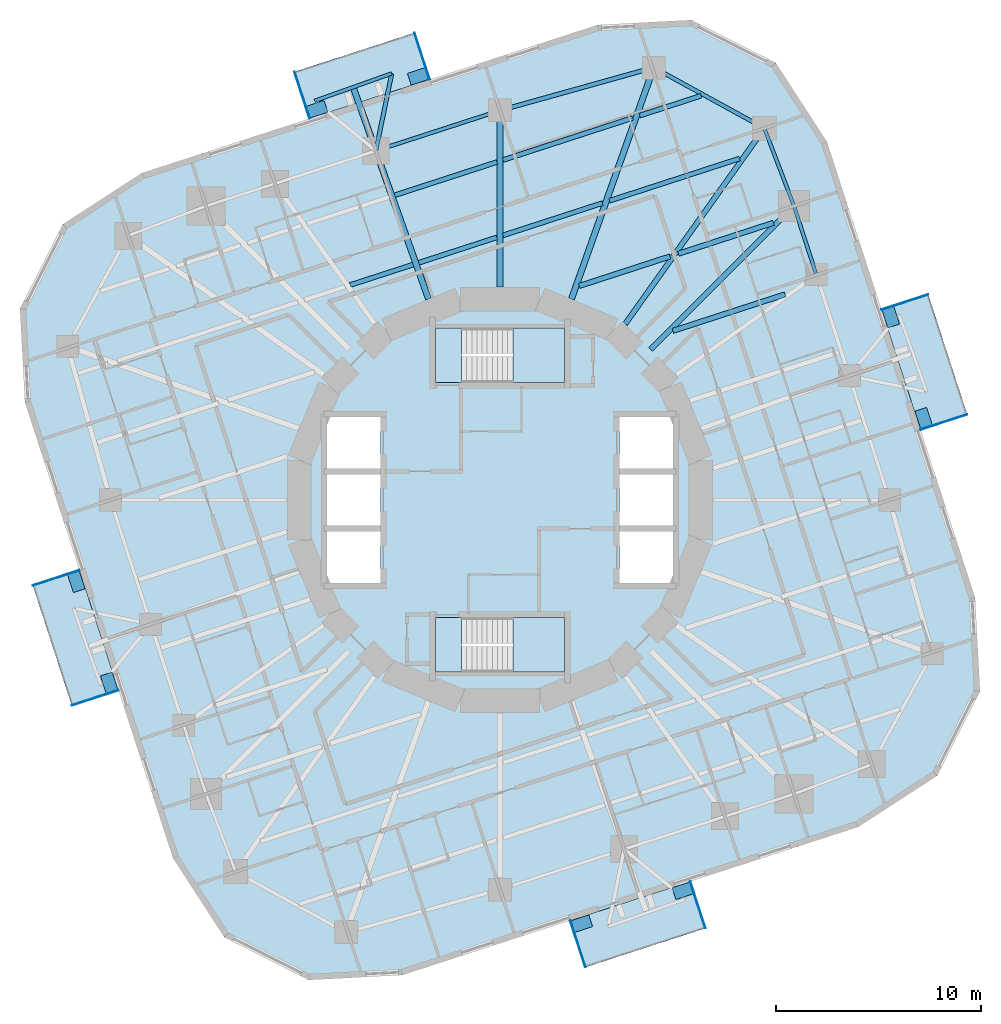
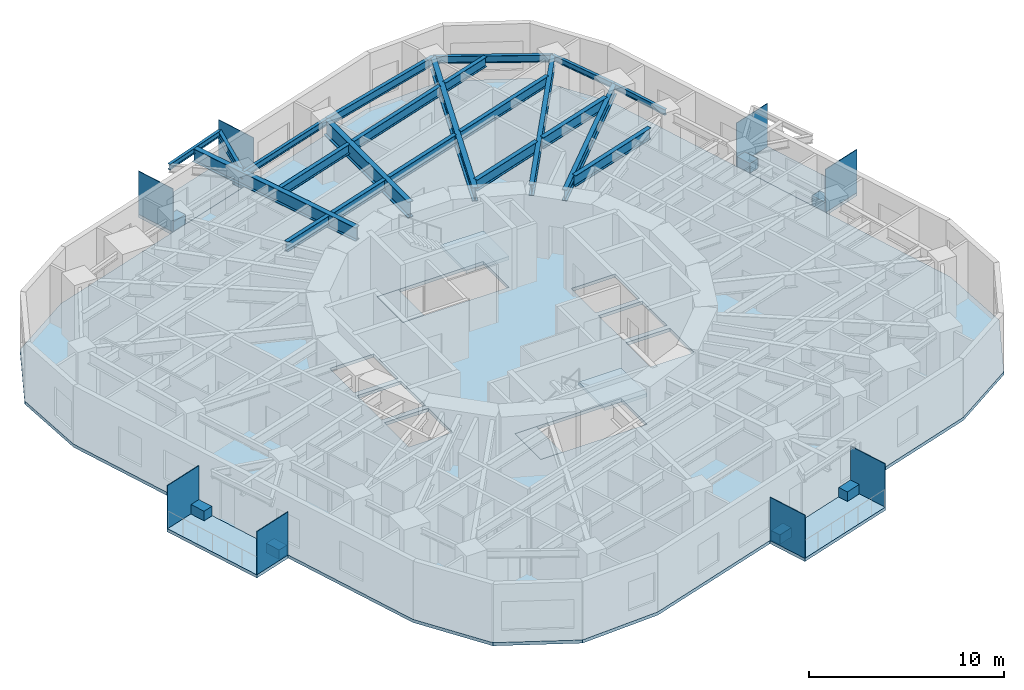
# One storey, part 3 of 12: 22 beams, 16 plates, 9 slabs, 2 elements without a shape of their own.
"""IFC4 building model written with IfcOpenShell, lengths in metres."""

import ifcopenshell
import ifcopenshell.guid

model = None  # the IFC model being written
_history = None  # IfcOwnerHistory: only IFC2X3 demands one
_inside = {}  # id of a spatial element -> (the spatial element, [elements in it])
_under = {}  # id of a project, library or spatial element -> (it, [spatial elements below it])
_declared = {}  # id of a project -> (the project, [libraries it declares])
_typed = {}  # id of a type object -> (the type object, [elements of that type])
_made_of = {}  # id of a material, layer set ... -> (it, [elements and type objects made of it])


def new_model(schema):
    """Start an empty IFC model of exactly this schema.

    Asked for "IFC4X3", IfcOpenShell would pick the latest addendum, in which some entities
    have other attributes; the version numbers below select the first issue.
    IFC2X3 requires an IfcOwnerHistory on every rooted entity: one is made here for all.
    """
    global model, _history
    if schema == "IFC4X3":
        model = ifcopenshell.file(schema_version=(4, 3, 0, 0))
    else:
        model = ifcopenshell.file(schema=schema)
    _inside.clear()
    _under.clear()
    _declared.clear()
    _typed.clear()
    _made_of.clear()
    _history = None
    if model.schema == "IFC2X3":
        org = make("IfcOrganization", Name="unknown")
        user = make(
            "IfcPersonAndOrganization",
            ThePerson=make("IfcPerson", FamilyName="unknown"),
            TheOrganization=org,
        )
        app = make(
            "IfcApplication",
            ApplicationDeveloper=org,
            Version="unknown",
            ApplicationFullName="unknown",
            ApplicationIdentifier="unknown",
        )
        _history = make(
            "IfcOwnerHistory",
            OwningUser=user,
            OwningApplication=app,
            ChangeAction="ADDED",
            CreationDate=0,
        )
    return model


def make(cls, **values):
    """One entity of the class cls with the attributes given. An attribute that is None is left unset."""
    return model.create_entity(
        cls, **{name: value for name, value in values.items() if value is not None}
    )


def rooted(cls, **values):
    """An entity with a GlobalId (a new one), such as an element, a storey or a relation."""
    return make(cls, GlobalId=ifcopenshell.guid.new(), OwnerHistory=_history, **values)


def si_unit(unit_type, name, prefix=None):
    """IfcSIUnit, for example si_unit("LENGTHUNIT", "METRE", prefix="MILLI")."""
    return make("IfcSIUnit", UnitType=unit_type, Prefix=prefix, Name=name)


def assignment(units):
    """IfcUnitAssignment: the units of a project."""
    return None if units is None else make("IfcUnitAssignment", Units=units)


def point(xyz):
    """IfcCartesianPoint."""
    return None if xyz is None else make("IfcCartesianPoint", Coordinates=xyz)


def direction(xyz):
    """IfcDirection."""
    return None if xyz is None else make("IfcDirection", DirectionRatios=xyz)


def frame(location, z_axis=None, x_axis=None):
    """IfcAxis2Placement3D, a coordinate frame: its origin and axes. An axis left out is left unset."""
    return make(
        "IfcAxis2Placement3D",
        Location=point(location),
        Axis=direction(z_axis),
        RefDirection=direction(x_axis),
    )


def frame_2d(location, x_axis=None):
    """IfcAxis2Placement2D, a coordinate frame in the plane: its origin and x axis."""
    return make(
        "IfcAxis2Placement2D", Location=point(location), RefDirection=direction(x_axis)
    )


def origin():
    """The frame at (0, 0, 0) with its axes left unset."""
    return frame((0.0, 0.0, 0.0))


def origin_2d():
    """The frame at (0, 0) in the plane with its x axis left unset."""
    return frame_2d((0.0, 0.0))


def place(relative_to, where):
    """IfcLocalPlacement: puts the frame where relative to a parent placement (None: the world)."""
    return make(
        "IfcLocalPlacement", PlacementRelTo=relative_to, RelativePlacement=where
    )


def context(
    kind, dimensions, precision=None, world=None, true_north=None, identifier=None
):
    """IfcGeometricRepresentationContext, for example the 3D "Model" context."""
    return make(
        "IfcGeometricRepresentationContext",
        ContextIdentifier=identifier,
        ContextType=kind,
        CoordinateSpaceDimension=dimensions,
        Precision=precision,
        WorldCoordinateSystem=world,
        TrueNorth=true_north,
    )


def subcontext(parent, identifier, kind, view, scale=None):
    """IfcGeometricRepresentationSubContext, for example "Body" below "Model"."""
    return make(
        "IfcGeometricRepresentationSubContext",
        ContextIdentifier=identifier,
        ContextType=kind,
        ParentContext=parent,
        TargetScale=scale,
        TargetView=view,
    )


def project(units=None, contexts=None):
    """IfcProject with its units and contexts."""
    return rooted(
        "IfcProject",
        Name="project",
        RepresentationContexts=contexts,
        UnitsInContext=assignment(units),
    )


def spatial(cls, under=None, at=None, **own):
    """A site, building, storey or space (cls), placed at a placement, below another one or the project."""
    s = rooted(cls, ObjectPlacement=at, **own)
    if under is not None:
        _under.setdefault(under.id(), (under, []))[1].append(s)
    return s


def polyline(points):
    """IfcPolyline through the points."""
    return make("IfcPolyline", Points=[point(p) for p in points])


def profile(cls, at=None, kind="AREA", **sizes):
    """A parametric profile (cls). Its sizes go by their IFC names, for example OverallWidth=200.0."""
    return make(cls, ProfileType=kind, Position=at, **sizes)


def rectangle(**sizes):
    """IfcRectangleProfileDef."""
    return profile("IfcRectangleProfileDef", **sizes)


def i_section(**sizes):
    """IfcIShapeProfileDef."""
    return profile("IfcIShapeProfileDef", **sizes)


def outline(outer, holes=None, kind="AREA"):
    """IfcArbitraryClosedProfileDef: a profile drawn as a closed curve; with holes, ...WithVoids."""
    if holes is None:
        return make("IfcArbitraryClosedProfileDef", ProfileType=kind, OuterCurve=outer)
    return make(
        "IfcArbitraryProfileDefWithVoids",
        ProfileType=kind,
        OuterCurve=outer,
        InnerCurves=holes,
    )


def extrude(swept, where, along, depth):
    """IfcExtrudedAreaSolid: the profile swept, set in the frame where, extruded along a direction by depth."""
    return make(
        "IfcExtrudedAreaSolid",
        SweptArea=swept,
        Position=where,
        ExtrudedDirection=direction(along),
        Depth=depth,
    )


def shape(context_of_items, identifier, shape_type, items):
    """IfcShapeRepresentation: the items that make up one representation, for example the "Body"."""
    return make(
        "IfcShapeRepresentation",
        ContextOfItems=context_of_items,
        RepresentationIdentifier=identifier,
        RepresentationType=shape_type,
        Items=items,
    )


def material(Name=None, Category=None):
    """IfcMaterial."""
    return make("IfcMaterial", Name=Name, Category=Category)


def layer(
    of_material, thickness, ventilated=None, Name=None, Category=None, Priority=None
):
    """IfcMaterialLayer: one layer of a wall or slab, of a material (None: an air gap)."""
    return make(
        "IfcMaterialLayer",
        Material=of_material,
        LayerThickness=thickness,
        IsVentilated=ventilated,
        Name=Name,
        Category=Category,
        Priority=Priority,
    )


def layer_set(layers, Name=None):
    """IfcMaterialLayerSet."""
    return make("IfcMaterialLayerSet", MaterialLayers=layers, LayerSetName=Name)


def material_profile(
    of_material, cross_section, Name=None, Category=None, Priority=None
):
    """IfcMaterialProfile: a cross section and its material."""
    return make(
        "IfcMaterialProfile",
        Name=Name,
        Material=of_material,
        Profile=cross_section,
        Priority=Priority,
        Category=Category,
    )


def profile_set(profiles, Name=None, composite=None):
    """IfcMaterialProfileSet."""
    return make(
        "IfcMaterialProfileSet",
        Name=Name,
        MaterialProfiles=profiles,
        CompositeProfile=composite,
    )


def made_of(thing, what):
    """Note that an element or type object is made of a material, layer set ...; save() writes the relation."""
    if what is not None:
        _made_of.setdefault(what.id(), (what, []))[1].append(thing)
    return thing


def type_object(cls, material=None, **own):
    """A type object (cls), such as IfcWallType, which elements share."""
    return made_of(rooted(cls, **own), material)


def element(
    cls,
    number,
    at=None,
    inside=None,
    cuts=None,
    type_object=None,
    material=None,
    context=None,
    identifier="Body",
    shape_type=None,
    held_by="IfcProductDefinitionShape",
    body=None,
    shapes=None,
    **own,
):
    """One element of the class cls, such as IfcWall. Its Tag is "e" and its number.

    at: its placement. inside: the storey or other place that contains it. cuts: it is an
    opening in that element (IfcRelVoidsElement). A single representation is given by context,
    identifier, shape_type and body (its items); several are given by shapes. held_by: the class
    of the entity that holds the representations. save() writes the other relations.
    """
    e = rooted(cls, Tag="e%d" % number, ObjectPlacement=at, **own)
    if body is not None:
        shapes = [shape(context, identifier, shape_type, body)]
    if shapes is not None:
        e.Representation = make(held_by, Representations=shapes)
    if inside is not None:
        _inside.setdefault(inside.id(), (inside, []))[1].append(e)
    if cuts is not None:
        rooted(
            "IfcRelVoidsElement", RelatingBuildingElement=cuts, RelatedOpeningElement=e
        )
    if type_object is not None:
        _typed.setdefault(type_object.id(), (type_object, []))[1].append(e)
    return made_of(e, material)


def aggregate(whole, parts):
    """IfcRelAggregates: a whole, such as a stair, and the parts it consists of."""
    return rooted("IfcRelAggregates", RelatingObject=whole, RelatedObjects=parts)


def save(model, path):
    """Write the relations noted so far, then the file.

    IfcRelAggregates (storeys below a building ...), IfcRelContainedInSpatialStructure (elements
    in a storey), IfcRelDefinesByType, IfcRelAssociatesMaterial and IfcRelDeclares: one each for
    every whole, place, type object, material and project.
    """
    for whole, parts in _under.values():
        aggregate(whole, parts)
    for where, things in _inside.values():
        rooted(
            "IfcRelContainedInSpatialStructure",
            RelatedElements=things,
            RelatingStructure=where,
        )
    for kind, things in _typed.values():
        rooted("IfcRelDefinesByType", RelatedObjects=things, RelatingType=kind)
    for what, things in _made_of.values():
        rooted("IfcRelAssociatesMaterial", RelatedObjects=things, RelatingMaterial=what)
    for by, libraries in _declared.values():
        rooted("IfcRelDeclares", RelatingContext=by, RelatedDefinitions=libraries)
    model.write(path)


model = new_model("IFC4")

# Units and contexts
model_context = context("Model", 3, precision=1e-05, world=origin(), true_north=direction((0.0, 1.0)))
body_context = subcontext(model_context, "Body", "Model", "MODEL_VIEW")
ifc_project = project(units=[si_unit("LENGTHUNIT", "METRE"), si_unit("AREAUNIT", "SQUARE_METRE"), si_unit("VOLUMEUNIT", "CUBIC_METRE"), si_unit("PLANEANGLEUNIT", "RADIAN"), si_unit("MASSUNIT", "GRAM", prefix="KILO")], contexts=[model_context])

# Site, building, storey
site_placement = place(None, origin())
site = spatial("IfcSite", under=ifc_project, at=site_placement, CompositionType="ELEMENT")
building_placement = place(site_placement, origin())
building = spatial("IfcBuilding", under=site, at=building_placement, Name="Nakasero Lantern House", CompositionType="ELEMENT")
storey_placement = place(building_placement, frame((0.0, 0.0, 153.35009765625)))
storey = spatial("IfcBuildingStorey", under=building, at=storey_placement, Name="L37", CompositionType="ELEMENT", Elevation=153.35009765625)

# Beams
ifc_material_1 = material(Name="Steel S355", Category="steel")
ifc_material_profile_1 = material_profile(ifc_material_1, i_section(OverallWidth=0.199462890625, OverallDepth=0.491943359375, WebThickness=0.01806640625, FlangeThickness=0.031982421875, FilletRadius=0.01025390625, at=origin_2d()), Name="UB 457x191x161")
ifc_profile_set_1 = profile_set([ifc_material_profile_1], Name="Steel S355")
beam_type_1 = type_object("IfcBeamType", Name="Balcony splay beam UB 457x191x161", PredefinedType="BEAM", material=ifc_profile_set_1)
beam_1_placement = place(storey_placement, frame((-6.06591796875, 17.060546875, 3.40380859375), z_axis=(0.201831438605, 0.979420272605, 0.0), x_axis=(-0.979420272605, 0.201831438605, 0.0)))
element("IfcBeam", 1, at=beam_1_placement, inside=storey, type_object=beam_type_1, Name="Balcony splay beam L38 B4-C10B", PredefinedType="BEAM", context=body_context, shape_type="SweptSolid", body=[
    extrude(i_section(OverallWidth=0.199462890625, OverallDepth=0.491943359375, WebThickness=0.01806640625, FlangeThickness=0.031982421875, FilletRadius=0.01025390625, at=origin_2d()), origin(), (0.0, 0.0, 1.0), 3.858642578125),
])
ifc_material_2 = material(Name="Steel S355", Category="steel")
ifc_material_profile_2 = material_profile(ifc_material_2, i_section(OverallWidth=0.17138671875, OverallDepth=0.35498046875, WebThickness=0.00732421875, FlangeThickness=0.011474609375, FilletRadius=0.01025390625, at=origin_2d()), Name="UB 356x171x51")
ifc_profile_set_2 = profile_set([ifc_material_profile_2], Name="Steel S355")
beam_type_2 = type_object("IfcBeamType", Name="Balcony tie beam UB 356x171x51", PredefinedType="BEAM", material=ifc_profile_set_2)
beam_2_placement = place(storey_placement, frame((-9.055908203125, 19.499755859375, 3.472412109375), z_axis=(0.942209124415, 0.335025321236, 0.0), x_axis=(-0.335025321236, 0.942209124415, 0.0)))
element("IfcBeam", 2, at=beam_2_placement, inside=storey, type_object=beam_type_2, Name="Balcony tie beam L38 B4-C10", PredefinedType="BEAM", context=body_context, shape_type="SweptSolid", body=[
    extrude(i_section(OverallWidth=0.17138671875, OverallDepth=0.35498046875, WebThickness=0.00732421875, FlangeThickness=0.011474609375, FilletRadius=0.01025390625, at=origin_2d()), origin(), (0.0, 0.0, 1.0), 4.0),
])
ifc_material_3 = material(Name="Steel S355", Category="steel")
ifc_material_profile_3 = material_profile(ifc_material_3, i_section(OverallWidth=0.22900390625, OverallDepth=0.6123046875, WebThickness=0.011962890625, FlangeThickness=0.01953125, FilletRadius=0.0126953125, at=origin_2d()), Name="UB 610x229x125")
ifc_profile_set_3 = profile_set([ifc_material_profile_3], Name="Steel S355")
beam_type_3 = type_object("IfcBeamType", Name="Infill beam UB 610x229x125", PredefinedType="JOIST", material=ifc_profile_set_3)
beam_3_placement = place(storey_placement, frame((-7.31396484375, 10.50390625, 3.34375), z_axis=(0.951054080044, 0.309024492283, 0.0), x_axis=(-0.309024492283, 0.951054080044, 0.0)))
element("IfcBeam", 3, at=beam_3_placement, inside=storey, type_object=beam_type_3, Name="Infill beam L38 11.5", PredefinedType="JOIST", context=body_context, shape_type="SweptSolid", body=[
    extrude(i_section(OverallWidth=0.22900390625, OverallDepth=0.6123046875, WebThickness=0.011962890625, FlangeThickness=0.01953125, FilletRadius=0.0126953125, at=origin_2d()), origin(), (0.0, 0.0, 1.0), 3.227294921875),
])
beam_4_placement = place(storey_placement, frame((-3.96630859375, 11.591796875, 3.34375), z_axis=(0.95105910343, 0.309009031878, 0.0), x_axis=(-0.309009031878, 0.95105910343, 0.0)))
element("IfcBeam", 4, at=beam_4_placement, inside=storey, type_object=beam_type_3, Name="Infill beam L38 11.6", PredefinedType="JOIST", context=body_context, shape_type="SweptSolid", body=[
    extrude(i_section(OverallWidth=0.22900390625, OverallDepth=0.6123046875, WebThickness=0.011962890625, FlangeThickness=0.01953125, FilletRadius=0.0126953125, at=origin_2d()), origin(), (0.0, 0.0, 1.0), 4.0126953125),
])
beam_5_placement = place(storey_placement, frame((0.14990234375, 12.92919921875, 3.34375), z_axis=(0.951057977144, 0.309012498309, 0.0), x_axis=(-0.309012498309, 0.951057977144, 0.0)))
element("IfcBeam", 5, at=beam_5_placement, inside=storey, type_object=beam_type_3, Name="Infill beam L38 11.7", PredefinedType="JOIST", context=body_context, shape_type="SweptSolid", body=[
    extrude(i_section(OverallWidth=0.22900390625, OverallDepth=0.6123046875, WebThickness=0.011962890625, FlangeThickness=0.01953125, FilletRadius=0.0126953125, at=origin_2d()), origin(), (0.0, 0.0, 1.0), 5.102294921875),
])
beam_6_placement = place(storey_placement, frame((5.353271484375, 14.619873046875, 3.34375), z_axis=(0.951056080098, 0.30901833685, 0.0), x_axis=(-0.30901833685, 0.951056080098, 0.0)))
element("IfcBeam", 6, at=beam_6_placement, inside=storey, type_object=beam_type_3, Name="Infill beam L38 11.8", PredefinedType="JOIST", context=body_context, shape_type="SweptSolid", body=[
    extrude(i_section(OverallWidth=0.22900390625, OverallDepth=0.6123046875, WebThickness=0.011962890625, FlangeThickness=0.01953125, FilletRadius=0.0126953125, at=origin_2d()), origin(), (0.0, 0.0, 1.0), 6.68310546875),
])
beam_7_placement = place(storey_placement, frame((-5.139404296875, 14.890625, 3.34375), z_axis=(0.951061765699, 0.309000837904, 0.0), x_axis=(-0.309000837904, 0.951061765699, 0.0)))
element("IfcBeam", 7, at=beam_7_placement, inside=storey, type_object=beam_type_3, Name="Infill beam L38 12.5", PredefinedType="JOIST", context=body_context, shape_type="SweptSolid", body=[
    extrude(i_section(OverallWidth=0.22900390625, OverallDepth=0.6123046875, WebThickness=0.011962890625, FlangeThickness=0.01953125, FilletRadius=0.0126953125, at=origin_2d()), origin(), (0.0, 0.0, 1.0), 5.246337890625),
])
beam_8_placement = place(storey_placement, frame((0.14990234375, 16.609375, 3.34375), z_axis=(0.951068556075, 0.308979937287, 0.0), x_axis=(-0.308979937287, 0.951068556075, 0.0)))
element("IfcBeam", 8, at=beam_8_placement, inside=storey, type_object=beam_type_3, Name="Infill beam L38 12.6", PredefinedType="JOIST", context=body_context, shape_type="SweptSolid", body=[
    extrude(i_section(OverallWidth=0.22900390625, OverallDepth=0.6123046875, WebThickness=0.011962890625, FlangeThickness=0.01953125, FilletRadius=0.0126953125, at=origin_2d()), origin(), (0.0, 0.0, 1.0), 6.65771484375),
])
beam_9_placement = place(storey_placement, frame((6.832763671875, 18.780517578125, 3.34375), z_axis=(0.951054602662, 0.309022883872, 0.0), x_axis=(-0.309022883872, 0.951054602662, 0.0)))
element("IfcBeam", 9, at=beam_9_placement, inside=storey, type_object=beam_type_3, Name="Infill beam L38 12.7", PredefinedType="JOIST", context=body_context, shape_type="SweptSolid", body=[
    extrude(i_section(OverallWidth=0.22900390625, OverallDepth=0.6123046875, WebThickness=0.011962890625, FlangeThickness=0.01953125, FilletRadius=0.0126953125, at=origin_2d()), origin(), (0.0, 0.0, 1.0), 3.145263671875),
])
ifc_material_4 = material(Name="Steel S355", Category="steel")
ifc_material_profile_4 = material_profile(ifc_material_4, i_section(OverallWidth=0.253662109375, OverallDepth=0.68359375, WebThickness=0.012451171875, FlangeThickness=0.01904296875, FilletRadius=0.01513671875, at=origin_2d()), Name="UB 686x254x140")
ifc_profile_set_4 = profile_set([ifc_material_profile_4], Name="Steel S355")
beam_type_4 = type_object("IfcBeamType", Name="Infill beam UB 686x254x140", PredefinedType="JOIST", material=ifc_profile_set_4)
beam_10_placement = place(storey_placement, frame((8.44287109375, 8.263427734375, 3.30810546875), z_axis=(0.951055211673, 0.309021009559, 0.0), x_axis=(-0.309021009559, 0.951055211673, 0.0)))
element("IfcBeam", 10, at=beam_10_placement, inside=storey, type_object=beam_type_4, Name="Infill beam L38 09.2", PredefinedType="JOIST", context=body_context, shape_type="SweptSolid", body=[
    extrude(i_section(OverallWidth=0.253662109375, OverallDepth=0.68359375, WebThickness=0.012451171875, FlangeThickness=0.01904296875, FilletRadius=0.01513671875, at=origin_2d()), origin(), (0.0, 0.0, 1.0), 5.769775390625),
])
beam_11_placement = place(storey_placement, frame((3.8740234375, 10.458984375, 3.30810546875), z_axis=(0.95106063111, 0.309004329989, 0.0), x_axis=(-0.309004329989, 0.95106063111, 0.0)))
element("IfcBeam", 11, at=beam_11_placement, inside=storey, type_object=beam_type_4, Name="Infill beam L38 10.3", PredefinedType="JOIST", context=body_context, shape_type="SweptSolid", body=[
    extrude(i_section(OverallWidth=0.253662109375, OverallDepth=0.68359375, WebThickness=0.012451171875, FlangeThickness=0.01904296875, FilletRadius=0.01513671875, at=origin_2d()), origin(), (0.0, 0.0, 1.0), 4.659912109375),
])
beam_12_placement = place(storey_placement, frame((8.710693359375, 12.030517578125, 3.30810546875), z_axis=(0.951061574069, 0.309001427713, 0.0), x_axis=(-0.309001427713, 0.951061574069, 0.0)))
element("IfcBeam", 12, at=beam_12_placement, inside=storey, type_object=beam_type_4, Name="Infill beam L38 10.4", PredefinedType="JOIST", context=body_context, shape_type="SweptSolid", body=[
    extrude(i_section(OverallWidth=0.253662109375, OverallDepth=0.68359375, WebThickness=0.012451171875, FlangeThickness=0.01904296875, FilletRadius=0.01513671875, at=origin_2d()), origin(), (0.0, 0.0, 1.0), 4.8916015625),
])
ifc_material_5 = material(Name="Steel S355", Category="steel")
ifc_material_profile_5 = material_profile(ifc_material_5, i_section(OverallWidth=0.300048828125, OverallDepth=0.989990234375, WebThickness=0.0166015625, FlangeThickness=0.031005859375, FilletRadius=0.030029296875, at=origin_2d()), Name="UB 1016x305x272")
ifc_profile_set_5 = profile_set([ifc_material_profile_5], Name="Steel S355")
beam_type_5 = type_object("IfcBeamType", Name="Primary beam UB 1016x305x272, span 6 to 9 m", PredefinedType="BEAM", material=ifc_profile_set_5)
beam_13_placement = place(storey_placement, frame((0.0, 19.031494140625, 3.15478515625), z_axis=(0.0, -1.0, 0.0), x_axis=(1.0, 0.0, 0.0)))
element("IfcBeam", 13, at=beam_13_placement, inside=storey, type_object=beam_type_5, Name="Primary beam L38 B4-C09", PredefinedType="BEAM", context=body_context, shape_type="SweptSolid", body=[
    extrude(i_section(OverallWidth=0.300048828125, OverallDepth=0.989990234375, WebThickness=0.0166015625, FlangeThickness=0.031005859375, FilletRadius=0.030029296875, at=origin_2d()), origin(), (0.0, 0.0, 1.0), 8.62353515625),
])
ifc_material_6 = material(Name="Steel S355", Category="steel")
ifc_material_profile_6 = material_profile(ifc_material_6, i_section(OverallWidth=0.253662109375, OverallDepth=0.68359375, WebThickness=0.012451171875, FlangeThickness=0.01904296875, FilletRadius=0.01513671875, at=origin_2d()), Name="UB 686x254x140")
ifc_profile_set_6 = profile_set([ifc_material_profile_6], Name="Steel S355")
beam_type_6 = type_object("IfcBeamType", Name="Primary beam UB 686x254x140, span 9 to 12 m", PredefinedType="BEAM", material=ifc_profile_set_6)
beam_14_placement = place(storey_placement, frame((14.3642578125, 14.3642578125, 3.30810546875), z_axis=(-0.707106781187, -0.707106781187, 0.0), x_axis=(0.707106781187, -0.707106781187, 0.0)))
element("IfcBeam", 14, at=beam_14_placement, inside=storey, type_object=beam_type_6, Name="Primary beam L38 B4-C06", PredefinedType="BEAM", context=body_context, shape_type="SweptSolid", body=[
    extrude(i_section(OverallWidth=0.253662109375, OverallDepth=0.68359375, WebThickness=0.012451171875, FlangeThickness=0.01904296875, FilletRadius=0.01513671875, at=origin_2d()), origin(), (0.0, 0.0, 1.0), 9.906494140625),
])
beam_15_placement = place(storey_placement, frame((12.916015625, 18.1630859375, 3.30810546875), z_axis=(-0.579530236062, -0.814950738075, 0.0), x_axis=(0.814950738075, -0.579530236062, 0.0)))
element("IfcBeam", 15, at=beam_15_placement, inside=storey, type_object=beam_type_6, Name="Primary beam L38 B4-C07", PredefinedType="BEAM", context=body_context, shape_type="SweptSolid", body=[
    extrude(i_section(OverallWidth=0.253662109375, OverallDepth=0.68359375, WebThickness=0.012451171875, FlangeThickness=0.01904296875, FilletRadius=0.01513671875, at=origin_2d()), origin(), (0.0, 0.0, 1.0), 11.73193359375),
])
ifc_material_7 = material(Name="Steel S355", Category="steel")
ifc_material_profile_7 = material_profile(ifc_material_7, i_section(OverallWidth=0.29248046875, OverallDepth=0.8408203125, WebThickness=0.0146484375, FlangeThickness=0.02685546875, FilletRadius=0.017822265625, at=origin_2d()), Name="UB 838x292x194")
ifc_profile_set_7 = profile_set([ifc_material_profile_7], Name="Steel S355")
beam_type_7 = type_object("IfcBeamType", Name="Primary beam UB 838x292x194, span 12 to 15 m", PredefinedType="BEAM", material=ifc_profile_set_7)
beam_16_placement = place(storey_placement, frame((7.5126953125, 21.129638671875, 3.2294921875), z_axis=(-0.335012877559, -0.942213548974, 0.0), x_axis=(0.942213548974, -0.335012877559, 0.0)))
element("IfcBeam", 16, at=beam_16_placement, inside=storey, type_object=beam_type_7, Name="Primary beam L38 B4-C08", PredefinedType="BEAM", context=body_context, shape_type="SweptSolid", body=[
    extrude(i_section(OverallWidth=0.29248046875, OverallDepth=0.8408203125, WebThickness=0.0146484375, FlangeThickness=0.02685546875, FilletRadius=0.017822265625, at=origin_2d()), origin(), (0.0, 0.0, 1.0), 12.00390625),
])
ifc_material_8 = material(Name="Steel S355", Category="steel")
ifc_material_profile_8 = material_profile(ifc_material_8, i_section(OverallWidth=0.29248046875, OverallDepth=0.8408203125, WebThickness=0.0146484375, FlangeThickness=0.02685546875, FilletRadius=0.017822265625, at=origin_2d()), Name="UB 838x292x194")
ifc_profile_set_8 = profile_set([ifc_material_profile_8], Name="Steel S355")
beam_type_8 = type_object("IfcBeamType", Name="Primary beam UB 838x292x194, span 6 to 9 m", PredefinedType="BEAM", material=ifc_profile_set_8)
beam_17_placement = place(storey_placement, frame((-7.17138671875, 20.169921875, 3.2294921875), z_axis=(0.335007036998, -0.942215625619, 0.0), x_axis=(0.942215625619, 0.335007036998, 0.0)))
element("IfcBeam", 17, at=beam_17_placement, inside=storey, type_object=beam_type_8, Name="Primary beam L38 B4-C10", PredefinedType="BEAM", context=body_context, shape_type="SweptSolid", body=[
    extrude(i_section(OverallWidth=0.29248046875, OverallDepth=0.8408203125, WebThickness=0.0146484375, FlangeThickness=0.02685546875, FilletRadius=0.017822265625, at=origin_2d()), origin(), (0.0, 0.0, 1.0), 10.9853515625),
])
ifc_material_9 = material(Name="Steel S355", Category="steel")
ifc_material_profile_9 = material_profile(ifc_material_9, i_section(OverallWidth=0.17138671875, OverallDepth=0.35498046875, WebThickness=0.00732421875, FlangeThickness=0.011474609375, FilletRadius=0.01025390625, at=origin_2d()), Name="UB 356x171x51")
ifc_profile_set_9 = profile_set([ifc_material_profile_9], Name="Steel S355")
beam_type_9 = type_object("IfcBeamType", Name="Ring beam UB 356x171x51", PredefinedType="BEAM", material=ifc_profile_set_9)
beam_18_placement = place(storey_placement, frame((15.45947265625, 10.993408203125, 3.472412109375), z_axis=(-0.309006636447, 0.951059881727, 0.0), x_axis=(-0.951059881727, -0.309006636447, 0.0)))
element("IfcBeam", 18, at=beam_18_placement, inside=storey, type_object=beam_type_9, Name="Ring beam L38 B4-C05", PredefinedType="BEAM", context=body_context, shape_type="SweptSolid", body=[
    extrude(i_section(OverallWidth=0.17138671875, OverallDepth=0.35498046875, WebThickness=0.00732421875, FlangeThickness=0.011474609375, FilletRadius=0.01025390625, at=origin_2d()), origin(), (0.0, 0.0, 1.0), 3.544189453125),
])
beam_19_placement = place(storey_placement, frame((14.3642578125, 14.3642578125, 3.472412109375), z_axis=(-0.35622505813, 0.934400186194, 0.0), x_axis=(-0.934400186194, -0.35622505813, 0.0)))
element("IfcBeam", 19, at=beam_19_placement, inside=storey, type_object=beam_type_9, Name="Ring beam L38 B4-C06", PredefinedType="BEAM", context=body_context, shape_type="SweptSolid", body=[
    extrude(i_section(OverallWidth=0.17138671875, OverallDepth=0.35498046875, WebThickness=0.00732421875, FlangeThickness=0.011474609375, FilletRadius=0.01025390625, at=origin_2d()), origin(), (0.0, 0.0, 1.0), 4.0654296875),
])
ifc_material_10 = material(Name="Steel S355", Category="steel")
ifc_material_profile_10 = material_profile(ifc_material_10, i_section(OverallWidth=0.179443359375, OverallDepth=0.412841796875, WebThickness=0.009521484375, FlangeThickness=0.01611328125, FilletRadius=0.01025390625, at=origin_2d()), Name="UB 406x178x74")
ifc_profile_set_10 = profile_set([ifc_material_profile_10], Name="Steel S355")
beam_type_10 = type_object("IfcBeamType", Name="Ring beam UB 406x178x74", PredefinedType="BEAM", material=ifc_profile_set_10)
beam_20_placement = place(storey_placement, frame((0.0, 19.031494140625, 3.443603515625), z_axis=(-0.951056007502, -0.309018560274, 0.0), x_axis=(0.309018560274, -0.951056007502, 0.0)))
element("IfcBeam", 20, at=beam_20_placement, inside=storey, type_object=beam_type_10, Name="Ring beam L38 B4-C09", PredefinedType="BEAM", context=body_context, shape_type="SweptSolid", body=[
    extrude(i_section(OverallWidth=0.179443359375, OverallDepth=0.412841796875, WebThickness=0.009521484375, FlangeThickness=0.01611328125, FilletRadius=0.01025390625, at=origin_2d()), origin(), (0.0, 0.0, 1.0), 6.378173828125),
])
ifc_material_11 = material(Name="Steel S355", Category="steel")
ifc_material_profile_11 = material_profile(ifc_material_11, i_section(OverallWidth=0.18994140625, OverallDepth=0.453369140625, WebThickness=0.008544921875, FlangeThickness=0.0126953125, FilletRadius=0.01025390625, at=origin_2d()), Name="UB 457x191x67")
ifc_profile_set_11 = profile_set([ifc_material_profile_11], Name="Steel S355")
beam_type_11 = type_object("IfcBeamType", Name="Ring beam UB 457x191x67", PredefinedType="BEAM", material=ifc_profile_set_11)
beam_21_placement = place(storey_placement, frame((12.916015625, 18.1630859375, 3.423095703125), z_axis=(-0.876576912681, 0.481261795861, 0.0), x_axis=(-0.481261795861, -0.876576912681, 0.0)))
element("IfcBeam", 21, at=beam_21_placement, inside=storey, type_object=beam_type_11, Name="Ring beam L38 B4-C07", PredefinedType="BEAM", context=body_context, shape_type="SweptSolid", body=[
    extrude(i_section(OverallWidth=0.18994140625, OverallDepth=0.453369140625, WebThickness=0.008544921875, FlangeThickness=0.0126953125, FilletRadius=0.01025390625, at=origin_2d()), origin(), (0.0, 0.0, 1.0), 6.1640625),
])
ifc_material_12 = material(Name="Steel S355", Category="steel")
ifc_material_profile_12 = material_profile(ifc_material_12, i_section(OverallWidth=0.208740234375, OverallDepth=0.5283203125, WebThickness=0.009521484375, FlangeThickness=0.01318359375, FilletRadius=0.0126953125, at=origin_2d()), Name="UB 533x210x82")
ifc_profile_set_12 = profile_set([ifc_material_profile_12], Name="Steel S355")
beam_type_12 = type_object("IfcBeamType", Name="Ring beam UB 533x210x82", PredefinedType="BEAM", material=ifc_profile_set_12)
beam_22_placement = place(storey_placement, frame((7.5126953125, 21.129638671875, 3.3857421875), z_axis=(-0.963143892339, -0.268986696047, 0.0), x_axis=(0.268986696047, -0.963143892339, 0.0)))
element("IfcBeam", 22, at=beam_22_placement, inside=storey, type_object=beam_type_12, Name="Ring beam L38 B4-C08", PredefinedType="BEAM", context=body_context, shape_type="SweptSolid", body=[
    extrude(i_section(OverallWidth=0.208740234375, OverallDepth=0.5283203125, WebThickness=0.009521484375, FlangeThickness=0.01318359375, FilletRadius=0.0126953125, at=origin_2d()), origin(), (0.0, 0.0, 1.0), 7.80029296875),
])

# Plates
ifc_material_13 = material(Name="Aluminium 6063-T6", Category="aluminium")
ifc_layer_1 = layer(ifc_material_13, 0.60009765625)
ifc_layer_set_1 = layer_set([ifc_layer_1], Name="Balcony planter 600x900")
plate_type_1 = type_object("IfcPlateType", Name="Balcony planter 600x900", PredefinedType="USERDEFINED", material=ifc_layer_set_1)
for number, where, z_axis, x_axis, name in (
    (23, (20.696533203125, 4.00146484375, -0.000244140625), (0.0, 0.0, 1.0), (0.951056516295, 0.309016994375, 0.0), "Balcony PLANTER L37 BAL0A"),
    (24, (19.095703125, 8.927978515625, -0.000244140625), (0.0, 0.0, 1.0), (0.951056516295, 0.309016994375, 0.0), "Balcony PLANTER L37 BAL0B"),
    (25, (-4.00146484375, 20.696533203125, -0.000244140625), (0.0, 0.0, 1.0), (-0.309016994375, 0.951056516295, 0.0), "Balcony PLANTER L37 BAL1A"),
    (26, (-8.927978515625, 19.095703125, -0.000244140625), (0.0, 0.0, 1.0), (-0.309016994375, 0.951056516295, 0.0), "Balcony PLANTER L37 BAL1B"),
    (27, (-20.696533203125, -4.00146484375, -0.000244140625), (0.0, 0.0, 1.0), (-0.951056516295, -0.309016994375, 0.0), "Balcony PLANTER L37 BAL2A"),
    (28, (-19.095703125, -8.927978515625, -0.000244140625), (0.0, 0.0, 1.0), (-0.951056516295, -0.309016994375, 0.0), "Balcony PLANTER L37 BAL2B"),
    (29, (4.00146484375, -20.696533203125, -0.000244140625), (0.0, 0.0, 1.0), (0.309016994375, -0.951056516295, 0.0), "Balcony PLANTER L37 BAL3A"),
    (30, (8.927978515625, -19.095703125, -0.000244140625), (0.0, 0.0, 1.0), (0.309016994375, -0.951056516295, 0.0), "Balcony PLANTER L37 BAL3B"),
):
    element("IfcPlate", number, at=place(storey_placement, frame(where, z_axis=z_axis, x_axis=x_axis)), inside=storey, type_object=plate_type_1, Name=name, ObjectType="PLANTER", PredefinedType="USERDEFINED", context=body_context, shape_type="SweptSolid", body=[
        extrude(rectangle(XDim=0.60009765625, YDim=0.89990234375, at=origin_2d()), origin(), (0.0, 0.0, 1.0), 0.60009765625),
    ])
ifc_material_14 = material(Name="Aluminium 6063-T6", Category="aluminium")
ifc_layer_2 = layer(ifc_material_14, 0.0400390625)
ifc_layer_set_2 = layer_set([ifc_layer_2], Name="Balcony screen 2400x2700")
plate_type_2 = type_object("IfcPlateType", Name="Balcony screen 2400x2700", PredefinedType="SHEET", material=ifc_layer_set_2)
for number, where, z_axis, x_axis, name in (
    (31, (21.684814453125, 3.807373046875, 0.0), (0.0, 0.0, 1.0), (0.951056516295, 0.309016994375, 0.0), "Balcony SCREEN L37 BAL0A"),
    (32, (19.78125, 9.665771484375, 0.0), (0.0, 0.0, 1.0), (0.951056516295, 0.309016994375, 0.0), "Balcony SCREEN L37 BAL0B"),
    (33, (-3.807373046875, 21.684814453125, 0.0), (0.0, 0.0, 1.0), (-0.309016994375, 0.951056516295, 0.0), "Balcony SCREEN L37 BAL1A"),
    (34, (-9.665771484375, 19.78125, 0.0), (0.0, 0.0, 1.0), (-0.309016994375, 0.951056516295, 0.0), "Balcony SCREEN L37 BAL1B"),
    (35, (-21.684814453125, -3.807373046875, 0.0), (0.0, 0.0, 1.0), (-0.951056516295, -0.309016994375, 0.0), "Balcony SCREEN L37 BAL2A"),
    (36, (-19.78125, -9.665771484375, 0.0), (0.0, 0.0, 1.0), (-0.951056516295, -0.309016994375, 0.0), "Balcony SCREEN L37 BAL2B"),
    (37, (3.807373046875, -21.684814453125, 0.0), (0.0, 0.0, 1.0), (0.309016994375, -0.951056516295, 0.0), "Balcony SCREEN L37 BAL3A"),
    (38, (9.665771484375, -19.78125, 0.0), (0.0, 0.0, 1.0), (0.309016994375, -0.951056516295, 0.0), "Balcony SCREEN L37 BAL3B"),
):
    element("IfcPlate", number, at=place(storey_placement, frame(where, z_axis=z_axis, x_axis=x_axis)), inside=storey, type_object=plate_type_2, Name=name, PredefinedType="SHEET", context=body_context, shape_type="SweptSolid", body=[
        extrude(rectangle(XDim=2.39990234375, YDim=0.0400390625, at=origin_2d()), origin(), (0.0, 0.0, 1.0), 2.699951171875),
    ])

# Slabs
ifc_material_15 = material(Name="Concrete C35/45", Category="concrete")
ifc_layer_3 = layer(ifc_material_15, 0.199951171875)
ifc_layer_set_3 = layer_set([ifc_layer_3], Name="Balcony slab 200")
slab_type_1 = type_object("IfcSlabType", Name="Balcony slab 200", PredefinedType="USERDEFINED", material=ifc_layer_set_3)
slab_1_placement = place(storey_placement, frame((0.0, 0.0, -0.2001953125)))
element("IfcSlab", 39, at=slab_1_placement, inside=storey, type_object=slab_type_1, Name="Balcony L37 BAL0", ObjectType="BALCONY", PredefinedType="USERDEFINED", context=body_context, shape_type="SweptSolid", body=[
    extrude(outline(polyline([(20.5498046875, 3.41748046875), (22.832275390625, 4.1591796875), (20.916259765625, 10.0556640625), (18.6337890625, 9.31396484375), (20.5498046875, 3.41748046875)])), origin(), (0.0, 0.0, 1.0), 0.2001953125),
])
slab_2_placement = place(storey_placement, frame((0.0, 0.0, -0.2001953125)))
element("IfcSlab", 40, at=slab_2_placement, inside=storey, type_object=slab_type_1, Name="Balcony L37 BAL1", ObjectType="BALCONY", PredefinedType="USERDEFINED", context=body_context, shape_type="SweptSolid", body=[
    extrude(outline(polyline([(-3.41748046875, 20.5498046875), (-4.1591796875, 22.832275390625), (-10.0556640625, 20.916259765625), (-9.31396484375, 18.6337890625), (-3.41748046875, 20.5498046875)])), origin(), (0.0, 0.0, 1.0), 0.2001953125),
])
slab_3_placement = place(storey_placement, frame((0.0, 0.0, -0.2001953125)))
element("IfcSlab", 41, at=slab_3_placement, inside=storey, type_object=slab_type_1, Name="Balcony L37 BAL2", ObjectType="BALCONY", PredefinedType="USERDEFINED", context=body_context, shape_type="SweptSolid", body=[
    extrude(outline(polyline([(-20.5498046875, -3.41748046875), (-22.832275390625, -4.1591796875), (-20.916259765625, -10.0556640625), (-18.6337890625, -9.31396484375), (-20.5498046875, -3.41748046875)])), origin(), (0.0, 0.0, 1.0), 0.2001953125),
])
slab_4_placement = place(storey_placement, frame((0.0, 0.0, -0.2001953125)))
element("IfcSlab", 42, at=slab_4_placement, inside=storey, type_object=slab_type_1, Name="Balcony L37 BAL3", ObjectType="BALCONY", PredefinedType="USERDEFINED", context=body_context, shape_type="SweptSolid", body=[
    extrude(outline(polyline([(3.41748046875, -20.5498046875), (4.1591796875, -22.832275390625), (10.0556640625, -20.916259765625), (9.31396484375, -18.6337890625), (3.41748046875, -20.5498046875)])), origin(), (0.0, 0.0, 1.0), 0.2001953125),
])
ifc_material_16 = material(Name="Concrete C35/45", Category="concrete")
ifc_layer_4 = layer(ifc_material_16, 0.199951171875)
ifc_layer_set_4 = layer_set([ifc_layer_4], Name="Composite floor slab 200")
slab_type_2 = type_object("IfcSlabType", Name="Composite floor slab 200", PredefinedType="FLOOR", material=ifc_layer_set_4)
slab_5_placement = place(storey_placement, frame((0.0, 0.0, -0.2001953125)))
element("IfcSlab", 43, at=slab_5_placement, inside=storey, type_object=slab_type_2, Name="Floor slab L37", PredefinedType="FLOOR", context=body_context, shape_type="SweptSolid", body=[
    extrude(outline(polyline([(15.976318359375, 17.4931640625), (13.467041015625, 21.35693359375), (9.3623046875, 23.448486328125), (4.76171875, 23.207275390625), (-17.4931640625, 15.976318359375), (-21.35693359375, 13.467041015625), (-23.448486328125, 9.3623046875), (-23.207275390625, 4.76171875), (-15.976318359375, -17.4931640625), (-13.467041015625, -21.35693359375), (-9.3623046875, -23.448486328125), (-4.76171875, -23.207275390625), (17.4931640625, -15.976318359375), (21.35693359375, -13.467041015625), (23.448486328125, -9.3623046875), (23.207275390625, -4.76171875), (15.976318359375, 17.4931640625)]), holes=[polyline([(-8.449951171875, -4.050048828125), (-5.85009765625, -4.050048828125), (-5.85009765625, -1.550048828125), (-8.449951171875, -1.550048828125), (-8.449951171875, -4.050048828125)]), polyline([(-8.449951171875, -1.25), (-5.85009765625, -1.25), (-5.85009765625, 1.25), (-8.449951171875, 1.25), (-8.449951171875, -1.25)]), polyline([(-8.449951171875, 1.550048828125), (-5.85009765625, 1.550048828125), (-5.85009765625, 4.050048828125), (-8.449951171875, 4.050048828125), (-8.449951171875, 1.550048828125)]), polyline([(5.85009765625, -4.050048828125), (8.449951171875, -4.050048828125), (8.449951171875, -1.550048828125), (5.85009765625, -1.550048828125), (5.85009765625, -4.050048828125)]), polyline([(5.85009765625, -1.25), (8.449951171875, -1.25), (8.449951171875, 1.25), (5.85009765625, 1.25), (5.85009765625, -1.25)]), polyline([(5.85009765625, 1.550048828125), (8.449951171875, 1.550048828125), (8.449951171875, 4.050048828125), (5.85009765625, 4.050048828125), (5.85009765625, 1.550048828125)]), polyline([(-3.14990234375, 5.75), (3.14990234375, 5.75), (3.14990234375, 8.39990234375), (-3.14990234375, 8.39990234375), (-3.14990234375, 5.75)]), polyline([(-3.14990234375, -8.39990234375), (3.14990234375, -8.39990234375), (3.14990234375, -5.75), (-3.14990234375, -5.75), (-3.14990234375, -8.39990234375)])]), origin(), (0.0, 0.0, 1.0), 0.2001953125),
])

# Stair, slabs
ifc_material_17 = material(Name="Concrete C40/50", Category="concrete")
stair_type_1 = type_object("IfcStairType", Name="Escape stair ST1 22 risers", PredefinedType="HALF_TURN_STAIR", material=ifc_material_17)
stair_1_placement = place(storey_placement, origin())
stair_1 = element("IfcStair", 44, at=stair_1_placement, inside=storey, type_object=stair_type_1, Name="Escape stair ST1 L37", PredefinedType="HALF_TURN_STAIR")
ifc_material_18 = material(Name="Concrete C40/50", Category="concrete")
ifc_layer_5 = layer(ifc_material_18, 0.199951171875)
ifc_layer_set_5 = layer_set([ifc_layer_5], Name="Stair landing 200")
slab_type_3 = type_object("IfcSlabType", Name="Stair landing 200", PredefinedType="LANDING", material=ifc_layer_set_5)
slab_6_placement = place(storey_placement, frame((0.0, 0.0, -0.2001953125)))
slab_6 = element("IfcSlab", 45, at=slab_6_placement, type_object=slab_type_3, Name="ST1 landing 1", PredefinedType="LANDING", context=body_context, shape_type="SweptSolid", body=[
    extrude(outline(polyline([(-3.14990234375, 5.75), (-1.875, 5.75), (-1.875, 8.39990234375), (-3.14990234375, 8.39990234375), (-3.14990234375, 5.75)])), origin(), (0.0, 0.0, 1.0), 0.2001953125),
])
slab_7_placement = place(storey_placement, frame((0.0, 0.0, 1.724853515625)))
slab_7 = element("IfcSlab", 46, at=slab_7_placement, type_object=slab_type_3, Name="ST1 landing 2", PredefinedType="LANDING", context=body_context, shape_type="SweptSolid", body=[
    extrude(outline(polyline([(0.625, 5.75), (3.14990234375, 5.75), (3.14990234375, 8.39990234375), (0.625, 8.39990234375), (0.625, 5.75)])), origin(), (0.0, 0.0, 1.0), 0.199951171875),
])
aggregate(stair_1, [slab_6, slab_7])

ifc_material_19 = material(Name="Concrete C40/50", Category="concrete")
stair_type_2 = type_object("IfcStairType", Name="Escape stair ST2 22 risers", PredefinedType="HALF_TURN_STAIR", material=ifc_material_19)
stair_2_placement = place(storey_placement, origin())
stair_2 = element("IfcStair", 47, at=stair_2_placement, inside=storey, type_object=stair_type_2, Name="Escape stair ST2 L37", PredefinedType="HALF_TURN_STAIR")
slab_8_placement = place(storey_placement, frame((0.0, 0.0, -0.2001953125)))
slab_8 = element("IfcSlab", 48, at=slab_8_placement, type_object=slab_type_3, Name="ST2 landing 1", PredefinedType="LANDING", context=body_context, shape_type="SweptSolid", body=[
    extrude(outline(polyline([(-3.14990234375, -8.39990234375), (-1.875, -8.39990234375), (-1.875, -5.75), (-3.14990234375, -5.75), (-3.14990234375, -8.39990234375)])), origin(), (0.0, 0.0, 1.0), 0.2001953125),
])
slab_9_placement = place(storey_placement, frame((0.0, 0.0, 1.724853515625)))
slab_9 = element("IfcSlab", 49, at=slab_9_placement, type_object=slab_type_3, Name="ST2 landing 2", PredefinedType="LANDING", context=body_context, shape_type="SweptSolid", body=[
    extrude(outline(polyline([(0.625, -8.39990234375), (3.14990234375, -8.39990234375), (3.14990234375, -5.75), (0.625, -5.75), (0.625, -8.39990234375)])), origin(), (0.0, 0.0, 1.0), 0.199951171875),
])
aggregate(stair_2, [slab_8, slab_9])

save(model, "model.ifc")
